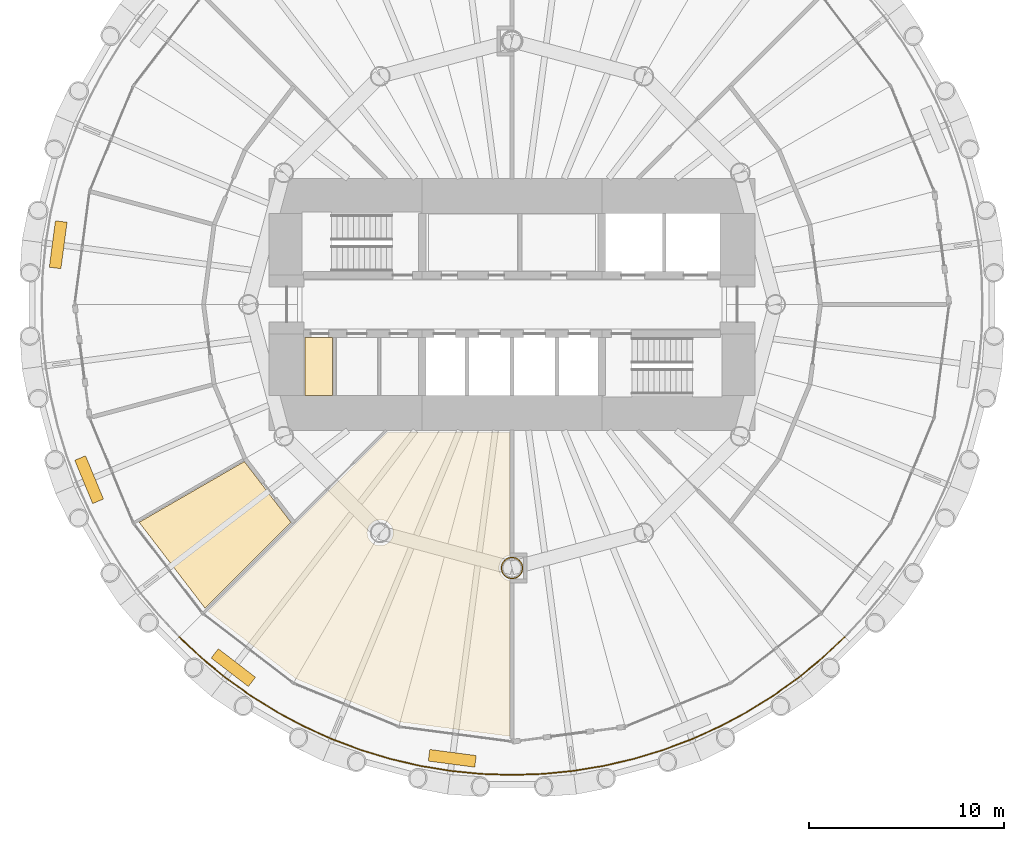
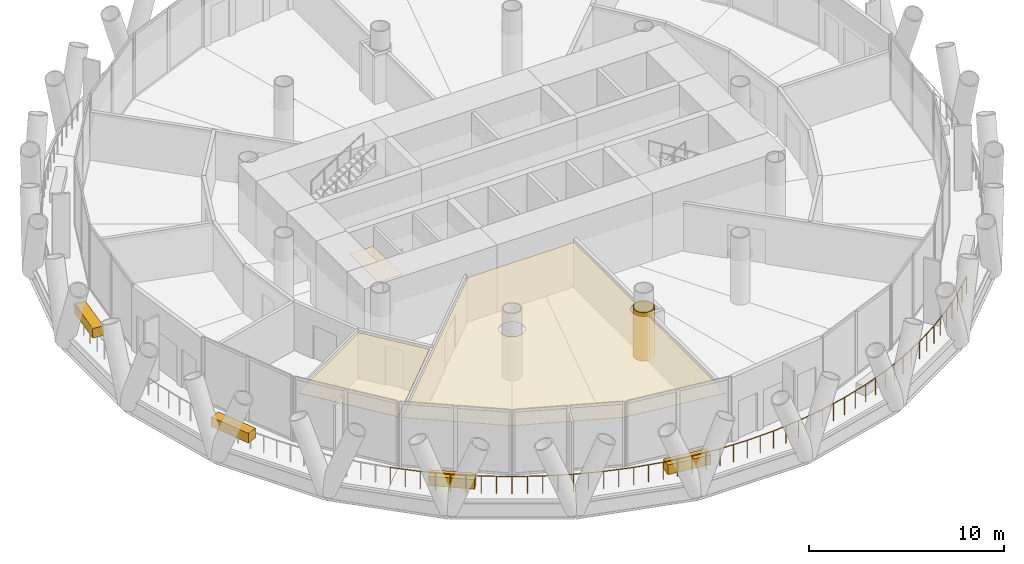
# One storey, part 11 of 14: 8 coverings, 1 railing.
"""IFC4 building model written with IfcOpenShell, lengths in metres."""

from ifc_helpers import new_model, si_unit, direction, frame, origin, origin_2d, place, context, subcontext, project, spatial, polyline, rectangle, circle, outline, extrude, material, layer, layer_set, type_object, element, save


model = new_model("IFC4")

# Units and contexts
model_context = context("Model", 3, precision=1e-05, world=origin(), true_north=direction((0.0, 1.0)))
body_context = subcontext(model_context, "Body", "Model", "MODEL_VIEW")
ifc_project = project(units=[si_unit("LENGTHUNIT", "METRE"), si_unit("AREAUNIT", "SQUARE_METRE"), si_unit("VOLUMEUNIT", "CUBIC_METRE"), si_unit("PLANEANGLEUNIT", "RADIAN"), si_unit("MASSUNIT", "GRAM", prefix="KILO")], contexts=[model_context])

# Site, building, storey
site_placement = place(None, origin())
site = spatial("IfcSite", under=ifc_project, at=site_placement, CompositionType="ELEMENT")
building_placement = place(site_placement, origin())
building = spatial("IfcBuilding", under=site, at=building_placement, Name="Qaws Media Tower", CompositionType="ELEMENT")
storey_placement = place(building_placement, frame((0.0, 0.0, 152.0)))
storey = spatial("IfcBuildingStorey", under=building, at=storey_placement, Name="L34", CompositionType="ELEMENT", Elevation=152.0)

# Covering
ifc_material_1 = material(Name="40 perforated acoustic panels with mineral wool backing, suspended", Category="mineral fibre")
ifc_layer_1 = layer(ifc_material_1, 0.0400390625)
ifc_layer_set_1 = layer_set([ifc_layer_1], Name="Acoustic panel ceiling 40")
covering_type_1 = type_object("IfcCoveringType", Name="Acoustic panel ceiling 40", PredefinedType="CEILING", material=ifc_layer_set_1)
covering_1_placement = place(storey_placement, frame((0.0, 0.0, 2.85009765625)))
element("IfcCovering", 1, at=covering_1_placement, inside=storey, type_object=covering_type_1, Name="CL3 ceiling L34-08 Meeting room", PredefinedType="CEILING", context=body_context, shape_type="SweptSolid", body=[
    extrude(outline(polyline([(40.8994140625, 38.84228515625), (46.28759765625, 41.953125), (48.678466796875, 38.83740234375), (44.27880859375, 34.43798828125), (40.8994140625, 38.84228515625)])), origin(), (0.0, 0.0, 1.0), 0.039794921875),
])

# Railing
ifc_material_2 = material(Name="Stainless steel and glass guard", Category="steel")
railing_type = type_object("IfcRailingType", Name="Balcony guard 1100", PredefinedType="GUARDRAIL", material=ifc_material_2)
railing_placement = place(storey_placement, frame((42.958740234375, 32.958740234375, 0.0)))
element("IfcRailing", 2, at=railing_placement, inside=storey, type_object=railing_type, Name="GR1 balcony guard L34-3", PredefinedType="GUARDRAIL", context=body_context, shape_type="SweptSolid", body=[
    extrude(circle(Radius=0.02392578125, at=origin_2d()), frame((0.0, 0.0, 1.076171875), z_axis=(0.729870205796, -0.683585753721, 0.0), x_axis=(0.683585753721, 0.729870205796, 0.0)), (0.0, 0.0, 1.0), 1.5771484375),
    extrude(circle(Radius=0.02392578125, at=origin_2d()), frame((1.151123046875, -1.078125, 1.076171875), z_axis=(0.772983820353, -0.634425735191, 0.0), x_axis=(0.634425735191, 0.772983820353, 0.0)), (0.0, 0.0, 1.0), 1.576904296875),
    extrude(circle(Radius=0.02392578125, at=origin_2d()), frame((2.3701171875, -2.07861328125, 1.076171875), z_axis=(0.81290629918, -0.582394495813, 0.0), x_axis=(0.582394495813, 0.81290629918, 0.0)), (0.0, 0.0, 1.0), 1.5771484375),
    extrude(circle(Radius=0.02392578125, at=origin_2d()), frame((3.652099609375, -2.9970703125, 1.076171875), z_axis=(0.849187752974, -0.528091052943, 0.0), x_axis=(0.528091052943, 0.849187752974, 0.0)), (0.0, 0.0, 1.0), 1.576904296875),
    extrude(circle(Radius=0.02392578125, at=origin_2d()), frame((4.9912109375, -3.829833984375, 1.076171875), z_axis=(0.881863979512, -0.471503893557, 0.0), x_axis=(0.471503893557, 0.881863979512, 0.0)), (0.0, 0.0, 1.0), 1.5771484375),
    extrude(circle(Radius=0.02392578125, at=origin_2d()), frame((6.382080078125, -4.573486328125, 1.076171875), z_axis=(0.910922345852, -0.412577846991, 0.0), x_axis=(0.412577846991, 0.910922345852, 0.0)), (0.0, 0.0, 1.0), 1.576904296875),
    extrude(circle(Radius=0.02392578125, at=origin_2d()), frame((7.818603515625, -5.22412109375, 1.076171875), z_axis=(0.935883127453, -0.352310618274, 0.0), x_axis=(0.352310618274, 0.935883127453, 0.0)), (0.0, 0.0, 1.0), 1.5771484375),
    extrude(circle(Radius=0.02392578125, at=origin_2d()), frame((9.294677734375, -5.77978515625, 1.076171875), z_axis=(0.956939727246, -0.290286683156, 0.0), x_axis=(0.290286683156, 0.956939727246, 0.0)), (0.0, 0.0, 1.0), 1.576904296875),
    extrude(circle(Radius=0.02392578125, at=origin_2d()), frame((10.8037109375, -6.237548828125, 1.076171875), z_axis=(0.973872031082, -0.227097483643, 0.0), x_axis=(0.227097483643, 0.973872031082, 0.0)), (0.0, 0.0, 1.0), 1.5771484375),
    extrude(circle(Radius=0.02392578125, at=origin_2d()), frame((12.339599609375, -6.595703125, 1.076171875), z_axis=(0.986647973654, -0.162867357333, 0.0), x_axis=(0.162867357333, 0.986647973654, 0.0)), (0.0, 0.0, 1.0), 1.576904296875),
    extrude(circle(Radius=0.02392578125, at=origin_2d()), frame((13.8955078125, -6.8525390625, 1.076171875), z_axis=(0.995187764733, -0.097986289481, 0.0), x_axis=(0.097986289481, 0.995187764733, 0.0)), (0.0, 0.0, 1.0), 1.5771484375),
    extrude(circle(Radius=0.02392578125, at=origin_2d()), frame((15.465087890625, -7.007080078125, 1.076171875), z_axis=(0.999461279345, -0.032819980053, 0.0), x_axis=(0.032819980053, 0.999461279345, 0.0)), (0.0, 0.0, 1.0), 1.576904296875),
    extrude(circle(Radius=0.02392578125, at=origin_2d()), frame((17.041259765625, -7.058837890625, 1.076171875), z_axis=(0.999461279345, 0.032819980053, 0.0), x_axis=(-0.032819980053, 0.999461279345, 0.0)), (0.0, 0.0, 1.0), 1.576904296875),
    extrude(circle(Radius=0.02392578125, at=origin_2d()), frame((18.617431640625, -7.007080078125, 1.076171875), z_axis=(0.995187764733, 0.097986289481, 0.0), x_axis=(-0.097986289481, 0.995187764733, 0.0)), (0.0, 0.0, 1.0), 1.5771484375),
    extrude(circle(Radius=0.02392578125, at=origin_2d()), frame((20.18701171875, -6.8525390625, 1.076171875), z_axis=(0.986647973654, 0.162867357333, 0.0), x_axis=(-0.162867357333, 0.986647973654, 0.0)), (0.0, 0.0, 1.0), 1.576904296875),
    extrude(circle(Radius=0.02392578125, at=origin_2d()), frame((21.742919921875, -6.595703125, 1.076171875), z_axis=(0.973872031082, 0.227097483643, 0.0), x_axis=(-0.227097483643, 0.973872031082, 0.0)), (0.0, 0.0, 1.0), 1.5771484375),
    extrude(circle(Radius=0.02392578125, at=origin_2d()), frame((23.27880859375, -6.237548828125, 1.076171875), z_axis=(0.956939727246, 0.290286683156, 0.0), x_axis=(-0.290286683156, 0.956939727246, 0.0)), (0.0, 0.0, 1.0), 1.576904296875),
    extrude(circle(Radius=0.02392578125, at=origin_2d()), frame((24.787841796875, -5.77978515625, 1.076171875), z_axis=(0.935883127453, 0.352310618274, 0.0), x_axis=(-0.352310618274, 0.935883127453, 0.0)), (0.0, 0.0, 1.0), 1.5771484375),
    extrude(circle(Radius=0.02392578125, at=origin_2d()), frame((26.263916015625, -5.22412109375, 1.076171875), z_axis=(0.910922345852, 0.412577846991, 0.0), x_axis=(-0.412577846991, 0.910922345852, 0.0)), (0.0, 0.0, 1.0), 1.576904296875),
    extrude(circle(Radius=0.02392578125, at=origin_2d()), frame((27.700439453125, -4.573486328125, 1.076171875), z_axis=(0.881863979512, 0.471503893557, 0.0), x_axis=(-0.471503893557, 0.881863979512, 0.0)), (0.0, 0.0, 1.0), 1.5771484375),
    extrude(circle(Radius=0.02392578125, at=origin_2d()), frame((29.09130859375, -3.829833984375, 1.076171875), z_axis=(0.849187752974, 0.528091052943, 0.0), x_axis=(-0.528091052943, 0.849187752974, 0.0)), (0.0, 0.0, 1.0), 1.576904296875),
    extrude(circle(Radius=0.02392578125, at=origin_2d()), frame((30.430419921875, -2.9970703125, 1.076171875), z_axis=(0.81290629918, 0.582394495813, 0.0), x_axis=(-0.582394495813, 0.81290629918, 0.0)), (0.0, 0.0, 1.0), 1.5771484375),
    extrude(circle(Radius=0.02392578125, at=origin_2d()), frame((31.71240234375, -2.07861328125, 1.076171875), z_axis=(0.772983820353, 0.634425735191, 0.0), x_axis=(-0.634425735191, 0.772983820353, 0.0)), (0.0, 0.0, 1.0), 1.576904296875),
    extrude(circle(Radius=0.02392578125, at=origin_2d()), frame((32.931396484375, -1.078125, 1.076171875), z_axis=(0.729870205796, 0.683585753721, 0.0), x_axis=(-0.683585753721, 0.729870205796, 0.0)), (0.0, 0.0, 1.0), 1.5771484375),
    extrude(circle(Radius=0.02099609375, at=origin_2d()), origin(), (0.0, 0.0, 1.0), 1.052001953125),
    extrude(circle(Radius=0.02099609375, at=origin_2d()), frame((0.57568359375, -0.5390625, 0.0)), (0.0, 0.0, 1.0), 1.052001953125),
    extrude(circle(Radius=0.02099609375, at=origin_2d()), frame((1.151123046875, -1.078125, 0.0)), (0.0, 0.0, 1.0), 1.052001953125),
    extrude(circle(Radius=0.02099609375, at=origin_2d()), frame((1.7607421875, -1.578369140625, 0.0)), (0.0, 0.0, 1.0), 1.052001953125),
    extrude(circle(Radius=0.02099609375, at=origin_2d()), frame((2.3701171875, -2.07861328125, 0.0)), (0.0, 0.0, 1.0), 1.052001953125),
    extrude(circle(Radius=0.02099609375, at=origin_2d()), frame((3.01123046875, -2.537841796875, 0.0)), (0.0, 0.0, 1.0), 1.052001953125),
    extrude(circle(Radius=0.02099609375, at=origin_2d()), frame((3.652099609375, -2.9970703125, 0.0)), (0.0, 0.0, 1.0), 1.052001953125),
    extrude(circle(Radius=0.02099609375, at=origin_2d()), frame((4.32177734375, -3.41357421875, 0.0)), (0.0, 0.0, 1.0), 1.052001953125),
    extrude(circle(Radius=0.02099609375, at=origin_2d()), frame((4.9912109375, -3.829833984375, 0.0)), (0.0, 0.0, 1.0), 1.052001953125),
    extrude(circle(Radius=0.02099609375, at=origin_2d()), frame((5.6865234375, -4.20166015625, 0.0)), (0.0, 0.0, 1.0), 1.052001953125),
    extrude(circle(Radius=0.02099609375, at=origin_2d()), frame((6.382080078125, -4.573486328125, 0.0)), (0.0, 0.0, 1.0), 1.052001953125),
    extrude(circle(Radius=0.02099609375, at=origin_2d()), frame((7.100341796875, -4.89892578125, 0.0)), (0.0, 0.0, 1.0), 1.052001953125),
    extrude(circle(Radius=0.02099609375, at=origin_2d()), frame((7.818603515625, -5.22412109375, 0.0)), (0.0, 0.0, 1.0), 1.052001953125),
    extrude(circle(Radius=0.02099609375, at=origin_2d()), frame((8.556640625, -5.501953125, 0.0)), (0.0, 0.0, 1.0), 1.052001953125),
    extrude(circle(Radius=0.02099609375, at=origin_2d()), frame((9.294677734375, -5.77978515625, 0.0)), (0.0, 0.0, 1.0), 1.052001953125),
    extrude(circle(Radius=0.02099609375, at=origin_2d()), frame((10.04931640625, -6.0087890625, 0.0)), (0.0, 0.0, 1.0), 1.052001953125),
    extrude(circle(Radius=0.02099609375, at=origin_2d()), frame((10.8037109375, -6.237548828125, 0.0)), (0.0, 0.0, 1.0), 1.052001953125),
    extrude(circle(Radius=0.02099609375, at=origin_2d()), frame((11.57177734375, -6.41650390625, 0.0)), (0.0, 0.0, 1.0), 1.052001953125),
    extrude(circle(Radius=0.02099609375, at=origin_2d()), frame((12.339599609375, -6.595703125, 0.0)), (0.0, 0.0, 1.0), 1.052001953125),
    extrude(circle(Radius=0.02099609375, at=origin_2d()), frame((13.11767578125, -6.72412109375, 0.0)), (0.0, 0.0, 1.0), 1.052001953125),
    extrude(circle(Radius=0.02099609375, at=origin_2d()), frame((13.8955078125, -6.8525390625, 0.0)), (0.0, 0.0, 1.0), 1.052001953125),
    extrude(circle(Radius=0.02099609375, at=origin_2d()), frame((14.68017578125, -6.9296875, 0.0)), (0.0, 0.0, 1.0), 1.052001953125),
    extrude(circle(Radius=0.02099609375, at=origin_2d()), frame((15.465087890625, -7.007080078125, 0.0)), (0.0, 0.0, 1.0), 1.052001953125),
    extrude(circle(Radius=0.02099609375, at=origin_2d()), frame((16.253173828125, -7.032958984375, 0.0)), (0.0, 0.0, 1.0), 1.052001953125),
    extrude(circle(Radius=0.02099609375, at=origin_2d()), frame((17.041259765625, -7.058837890625, 0.0)), (0.0, 0.0, 1.0), 1.052001953125),
    extrude(circle(Radius=0.02099609375, at=origin_2d()), frame((17.829345703125, -7.032958984375, 0.0)), (0.0, 0.0, 1.0), 1.052001953125),
    extrude(circle(Radius=0.02099609375, at=origin_2d()), frame((18.617431640625, -7.007080078125, 0.0)), (0.0, 0.0, 1.0), 1.052001953125),
    extrude(circle(Radius=0.02099609375, at=origin_2d()), frame((19.40234375, -6.9296875, 0.0)), (0.0, 0.0, 1.0), 1.052001953125),
    extrude(circle(Radius=0.02099609375, at=origin_2d()), frame((20.18701171875, -6.8525390625, 0.0)), (0.0, 0.0, 1.0), 1.052001953125),
    extrude(circle(Radius=0.02099609375, at=origin_2d()), frame((20.96484375, -6.72412109375, 0.0)), (0.0, 0.0, 1.0), 1.052001953125),
    extrude(circle(Radius=0.02099609375, at=origin_2d()), frame((21.742919921875, -6.595703125, 0.0)), (0.0, 0.0, 1.0), 1.052001953125),
    extrude(circle(Radius=0.02099609375, at=origin_2d()), frame((22.5107421875, -6.41650390625, 0.0)), (0.0, 0.0, 1.0), 1.052001953125),
    extrude(circle(Radius=0.02099609375, at=origin_2d()), frame((23.27880859375, -6.237548828125, 0.0)), (0.0, 0.0, 1.0), 1.052001953125),
    extrude(circle(Radius=0.02099609375, at=origin_2d()), frame((24.033203125, -6.0087890625, 0.0)), (0.0, 0.0, 1.0), 1.052001953125),
    extrude(circle(Radius=0.02099609375, at=origin_2d()), frame((24.787841796875, -5.77978515625, 0.0)), (0.0, 0.0, 1.0), 1.052001953125),
    extrude(circle(Radius=0.02099609375, at=origin_2d()), frame((25.52587890625, -5.501953125, 0.0)), (0.0, 0.0, 1.0), 1.052001953125),
    extrude(circle(Radius=0.02099609375, at=origin_2d()), frame((26.263916015625, -5.22412109375, 0.0)), (0.0, 0.0, 1.0), 1.052001953125),
    extrude(circle(Radius=0.02099609375, at=origin_2d()), frame((26.982177734375, -4.89892578125, 0.0)), (0.0, 0.0, 1.0), 1.052001953125),
    extrude(circle(Radius=0.02099609375, at=origin_2d()), frame((27.700439453125, -4.573486328125, 0.0)), (0.0, 0.0, 1.0), 1.052001953125),
    extrude(circle(Radius=0.02099609375, at=origin_2d()), frame((28.39599609375, -4.20166015625, 0.0)), (0.0, 0.0, 1.0), 1.052001953125),
    extrude(circle(Radius=0.02099609375, at=origin_2d()), frame((29.09130859375, -3.829833984375, 0.0)), (0.0, 0.0, 1.0), 1.052001953125),
    extrude(circle(Radius=0.02099609375, at=origin_2d()), frame((29.7607421875, -3.41357421875, 0.0)), (0.0, 0.0, 1.0), 1.052001953125),
    extrude(circle(Radius=0.02099609375, at=origin_2d()), frame((30.430419921875, -2.9970703125, 0.0)), (0.0, 0.0, 1.0), 1.052001953125),
    extrude(circle(Radius=0.02099609375, at=origin_2d()), frame((31.0712890625, -2.537841796875, 0.0)), (0.0, 0.0, 1.0), 1.052001953125),
    extrude(circle(Radius=0.02099609375, at=origin_2d()), frame((31.71240234375, -2.07861328125, 0.0)), (0.0, 0.0, 1.0), 1.052001953125),
    extrude(circle(Radius=0.02099609375, at=origin_2d()), frame((32.32177734375, -1.578369140625, 0.0)), (0.0, 0.0, 1.0), 1.052001953125),
    extrude(circle(Radius=0.02099609375, at=origin_2d()), frame((32.931396484375, -1.078125, 0.0)), (0.0, 0.0, 1.0), 1.052001953125),
    extrude(circle(Radius=0.02099609375, at=origin_2d()), frame((33.5068359375, -0.5390625, 0.0)), (0.0, 0.0, 1.0), 1.052001953125),
    extrude(circle(Radius=0.02099609375, at=origin_2d()), frame((34.08251953125, 0.0, 0.0)), (0.0, 0.0, 1.0), 1.052001953125),
])

# Coverings
ifc_material_3 = material(Name="Two layers 15 fire-rated gypsum board on steel framing", Category="steel")
ifc_layer_2 = layer(ifc_material_3, 0.050048828125)
ifc_layer_set_2 = layer_set([ifc_layer_2], Name="Column fire casing")
covering_type_2 = type_object("IfcCoveringType", Name="Column fire casing", PredefinedType="CLADDING", material=ifc_layer_set_2)
covering_2_placement = place(storey_placement, origin())
element("IfcCovering", 3, at=covering_2_placement, inside=storey, type_object=covering_type_2, Name="CC1 column casing L34", PredefinedType="CLADDING", context=body_context, shape_type="SweptSolid", body=[
    extrude(outline(polyline([(60.56298828125, 36.5), (60.55810546875, 36.426513671875), (60.543701171875, 36.354248046875), (60.52001953125, 36.284423828125), (60.487548828125, 36.218505859375), (60.44677734375, 36.1572265625), (60.398193359375, 36.101806640625), (60.3427734375, 36.05322265625), (60.281494140625, 36.012451171875), (60.215576171875, 35.97998046875), (60.145751953125, 35.956298828125), (60.073486328125, 35.94189453125), (60.0, 35.93701171875), (59.926513671875, 35.94189453125), (59.854248046875, 35.956298828125), (59.784423828125, 35.97998046875), (59.718505859375, 36.012451171875), (59.6572265625, 36.05322265625), (59.601806640625, 36.101806640625), (59.55322265625, 36.1572265625), (59.512451171875, 36.218505859375), (59.47998046875, 36.284423828125), (59.456298828125, 36.354248046875), (59.44189453125, 36.426513671875), (59.43701171875, 36.5), (59.44189453125, 36.573486328125), (59.456298828125, 36.645751953125), (59.47998046875, 36.715576171875), (59.512451171875, 36.781494140625), (59.55322265625, 36.8427734375), (59.601806640625, 36.898193359375), (59.6572265625, 36.94677734375), (59.718505859375, 36.987548828125), (59.784423828125, 37.02001953125), (59.854248046875, 37.043701171875), (59.926513671875, 37.05810546875), (60.0, 37.06298828125), (60.073486328125, 37.05810546875), (60.145751953125, 37.043701171875), (60.215576171875, 37.02001953125), (60.281494140625, 36.987548828125), (60.3427734375, 36.94677734375), (60.398193359375, 36.898193359375), (60.44677734375, 36.8427734375), (60.487548828125, 36.781494140625), (60.52001953125, 36.715576171875), (60.543701171875, 36.645751953125), (60.55810546875, 36.573486328125), (60.56298828125, 36.5)]), holes=[polyline([(60.510986328125, 36.5), (60.506591796875, 36.433349609375), (60.49365234375, 36.36767578125), (60.47216796875, 36.304443359375), (60.4423828125, 36.244384765625), (60.405517578125, 36.18896484375), (60.361328125, 36.138671875), (60.31103515625, 36.094482421875), (60.255615234375, 36.0576171875), (60.195556640625, 36.02783203125), (60.13232421875, 36.00634765625), (60.066650390625, 35.993408203125), (60.0, 35.989013671875), (59.933349609375, 35.993408203125), (59.86767578125, 36.00634765625), (59.804443359375, 36.02783203125), (59.744384765625, 36.0576171875), (59.68896484375, 36.094482421875), (59.638671875, 36.138671875), (59.594482421875, 36.18896484375), (59.5576171875, 36.244384765625), (59.52783203125, 36.304443359375), (59.50634765625, 36.36767578125), (59.493408203125, 36.433349609375), (59.489013671875, 36.5), (59.493408203125, 36.566650390625), (59.50634765625, 36.63232421875), (59.52783203125, 36.695556640625), (59.5576171875, 36.755615234375), (59.594482421875, 36.81103515625), (59.638671875, 36.861328125), (59.68896484375, 36.905517578125), (59.744384765625, 36.9423828125), (59.804443359375, 36.97216796875), (59.86767578125, 36.99365234375), (59.933349609375, 37.006591796875), (60.0, 37.010986328125), (60.066650390625, 37.006591796875), (60.13232421875, 36.99365234375), (60.195556640625, 36.97216796875), (60.255615234375, 36.9423828125), (60.31103515625, 36.905517578125), (60.361328125, 36.861328125), (60.405517578125, 36.81103515625), (60.4423828125, 36.755615234375), (60.47216796875, 36.695556640625), (60.49365234375, 36.63232421875), (60.506591796875, 36.566650390625), (60.510986328125, 36.5)])]), origin(), (0.0, 0.0, 1.0), 3.02001953125),
])
ifc_material_4 = material(Name="600 x 600 mineral fibre tiles in exposed grid, suspended", Category="mineral fibre")
ifc_layer_3 = layer(ifc_material_4, 0.02001953125)
ifc_layer_set_3 = layer_set([ifc_layer_3], Name="Mineral fibre tile ceiling 20")
covering_type_3 = type_object("IfcCoveringType", Name="Mineral fibre tile ceiling 20", PredefinedType="CEILING", material=ifc_layer_set_3)
covering_3_placement = place(storey_placement, frame((0.0, 0.0, 2.85009765625)))
element("IfcCovering", 4, at=covering_3_placement, inside=storey, type_object=covering_type_3, Name="CL1 ceiling L34-C04 Cleaner's room", PredefinedType="CEILING", context=body_context, shape_type="SweptSolid", body=[
    extrude(outline(polyline([(49.39990234375, 45.35009765625), (49.39990234375, 48.300048828125), (50.800048828125, 48.300048828125), (50.800048828125, 45.35009765625), (49.39990234375, 45.35009765625)])), origin(), (0.0, 0.0, 1.0), 0.02001953125),
])
ifc_material_5 = material(Name="Precast concrete planter with trailing planting", Category="concrete")
ifc_layer_4 = layer(ifc_material_5, 0.60009765625)
ifc_layer_set_4 = layer_set([ifc_layer_4], Name="Planter 2400x600")
covering_type_4 = type_object("IfcCoveringType", Name="Planter 2400x600", PredefinedType="USERDEFINED", material=ifc_layer_set_4)
for number, where, z_axis, x_axis, name in (
    (5, (36.750732421875, 53.060791015625, 0.0), (0.0, 0.0, 1.0), (-0.13052619222, -0.991444861374, 0.0), "PL1 balcony planter L34-06"),
    (6, (38.3349609375, 41.026123046875, 0.0), (0.0, 0.0, 1.0), (0.382683432365, -0.923879532511, 0.0), "PL1 balcony planter L34-07"),
    (7, (45.724609375, 31.395751953125, 0.0), (0.0, 0.0, 1.0), (0.793353340291, -0.608761429009, 0.0), "PL1 balcony planter L34-08"),
    (8, (56.939208984375, 26.750732421875, 0.0), (0.0, 0.0, 1.0), (0.991444861374, -0.13052619222, 0.0), "PL1 balcony planter L34-09"),
):
    element("IfcCovering", number, at=place(storey_placement, frame(where, z_axis=z_axis, x_axis=x_axis)), inside=storey, type_object=covering_type_4, Name=name, ObjectType="PLANTER", PredefinedType="USERDEFINED", context=body_context, shape_type="SweptSolid", body=[
        extrude(rectangle(XDim=2.39990234375, YDim=0.60009765625, at=origin_2d()), origin(), (0.0, 0.0, 1.0), 0.60009765625),
    ])
ifc_material_6 = material(Name="Two layers 12.5 moisture-resistant plasterboard on suspended metal furring", Category="gypsum")
ifc_layer_5 = layer(ifc_material_6, 0.02490234375)
ifc_layer_set_5 = layer_set([ifc_layer_5], Name="Plasterboard ceiling 25")
covering_type_5 = type_object("IfcCoveringType", Name="Plasterboard ceiling 25", PredefinedType="CEILING", material=ifc_layer_set_5)
covering_4_placement = place(storey_placement, frame((0.0, 0.0, 2.85009765625)))
element("IfcCovering", 9, at=covering_4_placement, inside=storey, type_object=covering_type_5, Name="CL2 ceiling L34-09 IT project office", PredefinedType="CEILING", context=body_context, shape_type="SweptSolid", body=[
    extrude(outline(polyline([(54.27099609375, 28.618896484375), (48.932373046875, 30.830322265625), (44.43798828125, 34.27880859375), (53.5966796875, 43.4375), (59.887451171875, 43.4375), (59.887451171875, 37.1572265625), (59.8271484375, 37.145263671875), (59.744384765625, 37.1171875), (59.666015625, 37.07861328125), (59.59326171875, 37.030029296875), (59.527587890625, 36.972412109375), (59.469970703125, 36.90673828125), (59.42138671875, 36.833984375), (59.3828125, 36.755615234375), (59.354736328125, 36.6728515625), (59.337646484375, 36.587158203125), (59.33203125, 36.5), (59.337646484375, 36.412841796875), (59.354736328125, 36.3271484375), (59.3828125, 36.244384765625), (59.42138671875, 36.166015625), (59.469970703125, 36.09326171875), (59.527587890625, 36.027587890625), (59.59326171875, 35.969970703125), (59.666015625, 35.92138671875), (59.744384765625, 35.8828125), (59.8271484375, 35.854736328125), (59.887451171875, 35.8427734375), (59.887451171875, 27.879638671875), (54.27099609375, 28.618896484375)]), holes=[polyline([(53.895263671875, 38.1357421875), (53.912353515625, 38.221435546875), (53.91796875, 38.30859375), (53.912353515625, 38.395751953125), (53.895263671875, 38.4814453125), (53.8671875, 38.564208984375), (53.82861328125, 38.642578125), (53.780029296875, 38.71533203125), (53.722412109375, 38.781005859375), (53.65673828125, 38.838623046875), (53.583984375, 38.88720703125), (53.505615234375, 38.92578125), (53.4228515625, 38.953857421875), (53.337158203125, 38.970947265625), (53.25, 38.976806640625), (53.162841796875, 38.970947265625), (53.0771484375, 38.953857421875), (52.994384765625, 38.92578125), (52.916015625, 38.88720703125), (52.84326171875, 38.838623046875), (52.777587890625, 38.781005859375), (52.719970703125, 38.71533203125), (52.67138671875, 38.642578125), (52.6328125, 38.564208984375), (52.604736328125, 38.4814453125), (52.587646484375, 38.395751953125), (52.58203125, 38.30859375), (52.587646484375, 38.221435546875), (52.604736328125, 38.1357421875), (52.6328125, 38.052978515625), (52.67138671875, 37.974609375), (52.719970703125, 37.902099609375), (52.777587890625, 37.836181640625), (52.84326171875, 37.77880859375), (52.916015625, 37.730224609375), (52.994384765625, 37.69140625), (53.0771484375, 37.663330078125), (53.162841796875, 37.646484375), (53.25, 37.640625), (53.337158203125, 37.646484375), (53.4228515625, 37.663330078125), (53.505615234375, 37.69140625), (53.583984375, 37.730224609375), (53.65673828125, 37.77880859375), (53.722412109375, 37.836181640625), (53.780029296875, 37.902099609375), (53.82861328125, 37.974609375), (53.8671875, 38.052978515625), (53.895263671875, 38.1357421875)])]), origin(), (0.0, 0.0, 1.0), 0.02490234375),
])

save(model, "model.ifc")
